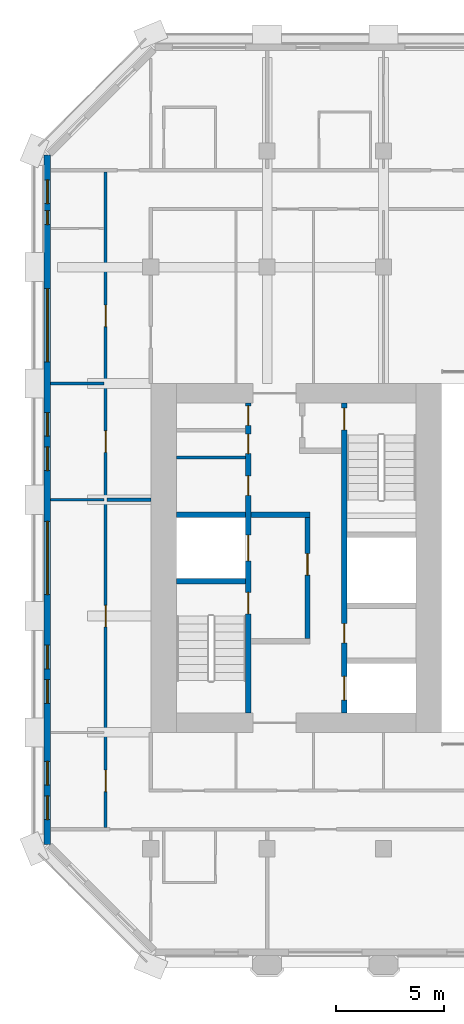
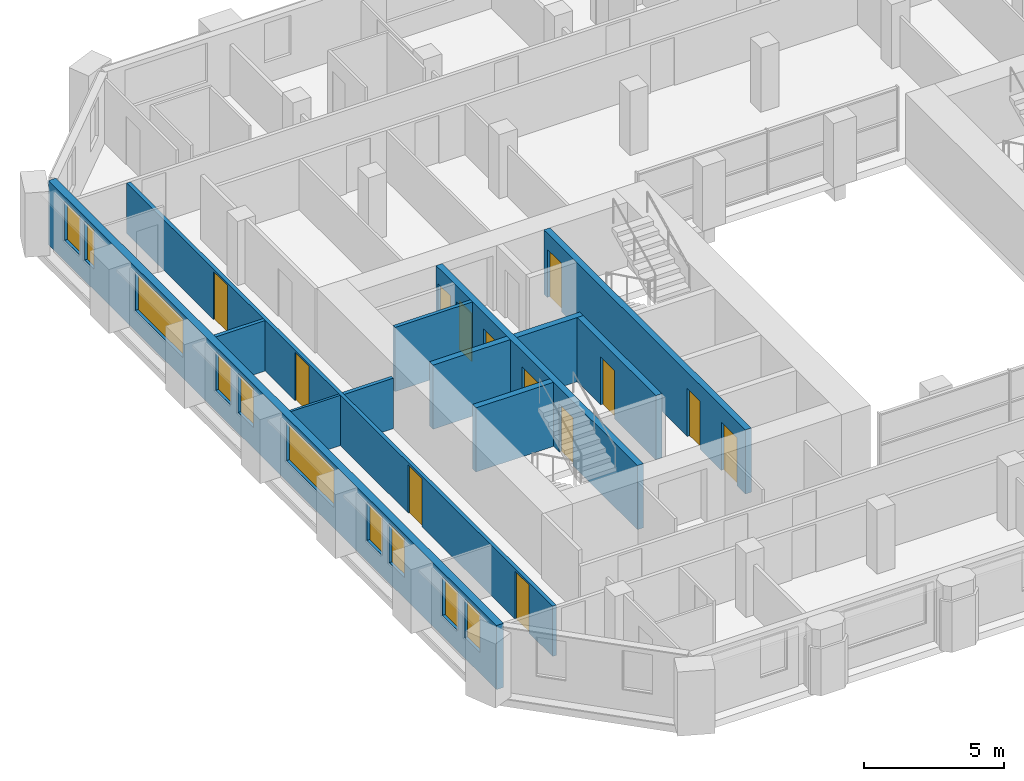
# One storey, part 7 of 14: 13 doors, 12 walls, 10 windows, 23 openings.
"""IFC4 building model written with IfcOpenShell, lengths in metres."""

from ifc_helpers import new_model, si_unit, direction, frame, frame_2d, origin, place, context, subcontext, project, spatial, rectangle, extrude, material, layer, layer_set, type_object, element, fill, save


model = new_model("IFC4")

# Units and contexts
model_context = context("Model", 3, precision=1e-05, world=origin(), true_north=direction((0.0, 1.0)))
body_context = subcontext(model_context, "Body", "Model", "MODEL_VIEW")
ifc_project = project(units=[si_unit("LENGTHUNIT", "METRE"), si_unit("AREAUNIT", "SQUARE_METRE"), si_unit("VOLUMEUNIT", "CUBIC_METRE"), si_unit("PLANEANGLEUNIT", "RADIAN"), si_unit("MASSUNIT", "GRAM", prefix="KILO")], contexts=[model_context])

# Site, building, storey
site_placement = place(None, origin())
site = spatial("IfcSite", under=ifc_project, at=site_placement, CompositionType="ELEMENT")
building_placement = place(site_placement, origin())
building = spatial("IfcBuilding", under=site, at=building_placement, Name="Tabaq Tower and Sports Hall", CompositionType="ELEMENT")
storey_placement = place(building_placement, frame((0.0, 0.0, 230.199951171875)))
storey = spatial("IfcBuildingStorey", under=building, at=storey_placement, Name="L58", CompositionType="ELEMENT", Elevation=230.199951171875)

# Walls
ifc_material_1 = material(Name="Blockwork", Category="masonry")
ifc_layer_1 = layer(ifc_material_1, 0.14990234375)
ifc_layer_set_1 = layer_set([ifc_layer_1], Name="Core room partition 150 Blockwork")
wall_type_1 = type_object("IfcWallType", Name="Core room partition 150 Blockwork", PredefinedType="PARTITIONING", material=ifc_layer_set_1)
wall_1_placement = place(storey_placement, frame((6.60009765625, 28.962890625, 0.0), z_axis=(0.0, 0.0, 1.0), x_axis=(1.0, 0.0, 0.0)))
element("IfcWall", 1, at=wall_1_placement, inside=storey, type_object=wall_type_1, Name="Core room partition W L58", PredefinedType="PARTITIONING", context=body_context, shape_type="SweptSolid", body=[
    extrude(rectangle(XDim=3.199951171875, YDim=0.14990234375, at=frame_2d((1.60009765625, 0.0))), origin(), (0.0, 0.0, 1.0), 2.800048828125),
])
ifc_material_2 = material(Name="Gypsum board on steel studs", Category="steel")
ifc_layer_2 = layer(ifc_material_2, 0.10009765625)
ifc_layer_set_2 = layer_set([ifc_layer_2], Name="Partition 100 Gypsum board")
wall_type_2 = type_object("IfcWallType", Name="Partition 100 Gypsum board", PredefinedType="PARTITIONING", material=ifc_layer_set_2)
wall_2_placement = place(storey_placement, frame((0.7509765625, 27.0, 0.0), z_axis=(0.0, 0.0, 1.0), x_axis=(1.0, 0.0, 0.0)))
element("IfcWall", 2, at=wall_2_placement, inside=storey, type_object=wall_type_2, Name="Partition wall L58", PredefinedType="PARTITIONING", context=body_context, shape_type="SweptSolid", body=[
    extrude(rectangle(XDim=2.47412109375, YDim=0.10009765625, at=frame_2d((1.237060546875, 0.0))), origin(), (0.0, 0.0, 1.0), 2.199951171875),
])
ifc_material_3 = material(Name="Blockwork", Category="masonry")
ifc_layer_3 = layer(ifc_material_3, 0.14990234375)
ifc_layer_set_3 = layer_set([ifc_layer_3], Name="Separating wall 150 Blockwork")
wall_type_3 = type_object("IfcWallType", Name="Separating wall 150 Blockwork", PredefinedType="PARTITIONING", material=ifc_layer_set_3)
wall_3_placement = place(storey_placement, frame((0.7509765625, 32.39990234375, 0.0), z_axis=(0.0, 0.0, 1.0), x_axis=(1.0, 0.0, 0.0)))
element("IfcWall", 3, at=wall_3_placement, inside=storey, type_object=wall_type_3, Name="Separating wall L58", PredefinedType="PARTITIONING", context=body_context, shape_type="SweptSolid", body=[
    extrude(rectangle(XDim=2.47412109375, YDim=0.14990234375, at=frame_2d((1.237060546875, 0.0))), origin(), (0.0, 0.0, 1.0), 2.199951171875),
])
wall_4_placement = place(storey_placement, frame((3.375, 27.0, 0.0), z_axis=(0.0, 0.0, 1.0), x_axis=(1.0, 0.0, 0.0)))
element("IfcWall", 4, at=wall_4_placement, inside=storey, type_object=wall_type_3, Name="Separating wall L58", PredefinedType="PARTITIONING", context=body_context, shape_type="SweptSolid", body=[
    extrude(rectangle(XDim=2.02490234375, YDim=0.14990234375, at=frame_2d((1.012451171875, 0.0))), origin(), (0.0, 0.0, 1.0), 2.199951171875),
])

# Wall, openings, doors
wall_5_placement = place(storey_placement, frame((3.300048828125, 11.77490234375, 0.0), z_axis=(0.0, 0.0, 1.0), x_axis=(0.0, 1.0, 0.0)))
wall_5 = element("IfcWall", 5, at=wall_5_placement, inside=storey, type_object=wall_type_3, Name="Separating wall L58", PredefinedType="PARTITIONING", context=body_context, shape_type="SweptSolid", body=[
    extrude(rectangle(XDim=30.4501953125, YDim=0.14990234375, at=frame_2d((15.22509765625, 0.0))), origin(), (0.0, 0.0, 1.0), 2.199951171875),
])
opening_1_placement = place(wall_5_placement, frame((17.425048828125, 0.0, 0.0)))
opening_1 = element("IfcOpeningElement", 6, at=opening_1_placement, cuts=wall_5, Name="Opening L58-008", PredefinedType="OPENING", context=body_context, shape_type="SweptSolid", body=[
    extrude(rectangle(XDim=1.0, YDim=2.10009765625, at=frame_2d((0.5, 1.050048828125))), frame((0.0, 0.074951171875, 0.0), z_axis=(0.0, -1.0, 0.0), x_axis=(1.0, 0.0, 0.0)), (0.0, 0.0, 1.0), 0.14990234375),
])
opening_2_placement = place(wall_5_placement, frame((1.675048828125, 0.0, 0.0)))
opening_2 = element("IfcOpeningElement", 7, at=opening_2_placement, cuts=wall_5, Name="Opening L58-013", PredefinedType="OPENING", context=body_context, shape_type="SweptSolid", body=[
    extrude(rectangle(XDim=1.0, YDim=2.10009765625, at=frame_2d((0.5, 1.050048828125))), frame((0.0, 0.074951171875, 0.0), z_axis=(0.0, -1.0, 0.0), x_axis=(1.0, 0.0, 0.0)), (0.0, 0.0, 1.0), 0.14990234375),
])
opening_3_placement = place(wall_5_placement, frame((9.324951171875, 0.0, 0.0)))
opening_3 = element("IfcOpeningElement", 8, at=opening_3_placement, cuts=wall_5, Name="Opening L58-019", PredefinedType="OPENING", context=body_context, shape_type="SweptSolid", body=[
    extrude(rectangle(XDim=1.0, YDim=2.10009765625, at=frame_2d((0.5, 1.050048828125))), frame((0.0, 0.074951171875, 0.0), z_axis=(0.0, -1.0, 0.0), x_axis=(1.0, 0.0, 0.0)), (0.0, 0.0, 1.0), 0.14990234375),
])
opening_4_placement = place(wall_5_placement, frame((23.258056640625, 0.0, 0.0)))
opening_4 = element("IfcOpeningElement", 9, at=opening_4_placement, cuts=wall_5, Name="Opening L58-024", PredefinedType="OPENING", context=body_context, shape_type="SweptSolid", body=[
    extrude(rectangle(XDim=1.0, YDim=2.10009765625, at=frame_2d((0.5, 1.050048828125))), frame((0.0, 0.074951171875, 0.0), z_axis=(0.0, -1.0, 0.0), x_axis=(1.0, 0.0, 0.0)), (0.0, 0.0, 1.0), 0.14990234375),
])
ifc_material_4 = material(Name="Steel fire door", Category="steel")
door_type_1 = type_object("IfcDoorType", Name="Entrance door 1000 left hand", OperationType="SINGLE_SWING_LEFT", PredefinedType="DOOR", material=ifc_material_4)
door_1_placement = place(opening_4_placement, origin())
door_1 = element("IfcDoor", 10, at=door_1_placement, inside=storey, type_object=door_type_1, Name="Entrance door L58-024", OperationType="SINGLE_SWING_LEFT", OverallHeight=2.10009765625, OverallWidth=1.0, PredefinedType="DOOR", context=body_context, shape_type="SweptSolid", body=[
    extrude(rectangle(XDim=1.0, YDim=2.10009765625, at=frame_2d((0.5, 1.050048828125))), frame((0.0, 0.02490234375, 0.0), z_axis=(0.0, -1.0, 0.0), x_axis=(1.0, 0.0, 0.0)), (0.0, 0.0, 1.0), 0.050048828125),
])
fill(opening_4, door_1)
ifc_material_5 = material(Name="Timber leaf in steel frame", Category="steel")
door_type_2 = type_object("IfcDoorType", Name="Internal door 1000 left hand", OperationType="SINGLE_SWING_LEFT", PredefinedType="DOOR", material=ifc_material_5)
door_2_placement = place(opening_2_placement, origin())
door_2 = element("IfcDoor", 11, at=door_2_placement, inside=storey, type_object=door_type_2, Name="Internal door L58-013", OperationType="SINGLE_SWING_LEFT", OverallHeight=2.10009765625, OverallWidth=1.0, PredefinedType="DOOR", context=body_context, shape_type="SweptSolid", body=[
    extrude(rectangle(XDim=1.0, YDim=2.10009765625, at=frame_2d((0.5, 1.050048828125))), frame((0.0, 0.02490234375, 0.0), z_axis=(0.0, -1.0, 0.0), x_axis=(1.0, 0.0, 0.0)), (0.0, 0.0, 1.0), 0.050048828125),
])
fill(opening_2, door_2)
ifc_material_6 = material(Name="Timber leaf in steel frame", Category="steel")
door_type_3 = type_object("IfcDoorType", Name="Internal door 1000 right hand", OperationType="SINGLE_SWING_RIGHT", PredefinedType="DOOR", material=ifc_material_6)
door_3_placement = place(opening_1_placement, origin())
door_3 = element("IfcDoor", 12, at=door_3_placement, inside=storey, type_object=door_type_3, Name="Internal door L58-008", OperationType="SINGLE_SWING_RIGHT", OverallHeight=2.10009765625, OverallWidth=1.0, PredefinedType="DOOR", context=body_context, shape_type="SweptSolid", body=[
    extrude(rectangle(XDim=1.0, YDim=2.10009765625, at=frame_2d((0.5, 1.050048828125))), frame((0.0, 0.02490234375, 0.0), z_axis=(0.0, -1.0, 0.0), x_axis=(1.0, 0.0, 0.0)), (0.0, 0.0, 1.0), 0.050048828125),
])
fill(opening_1, door_3)
door_4_placement = place(opening_3_placement, origin())
door_4 = element("IfcDoor", 13, at=door_4_placement, inside=storey, type_object=door_type_3, Name="Internal door L58-019", OperationType="SINGLE_SWING_RIGHT", OverallHeight=2.10009765625, OverallWidth=1.0, PredefinedType="DOOR", context=body_context, shape_type="SweptSolid", body=[
    extrude(rectangle(XDim=1.0, YDim=2.10009765625, at=frame_2d((0.5, 1.050048828125))), frame((0.0, 0.02490234375, 0.0), z_axis=(0.0, -1.0, 0.0), x_axis=(1.0, 0.0, 0.0)), (0.0, 0.0, 1.0), 0.050048828125),
])
fill(opening_3, door_4)

ifc_material_7 = material(Name="Concrete C40/50", Category="concrete")
ifc_layer_4 = layer(ifc_material_7, 0.25)
ifc_layer_set_4 = layer_set([ifc_layer_4], Name="Shaft and stair wall 250 Concrete C40/50")
wall_type_4 = type_object("IfcWallType", Name="Shaft and stair wall 250 Concrete C40/50", PredefinedType="SOLIDWALL", material=ifc_layer_set_4)
wall_6_placement = place(storey_placement, frame((9.925048828125, 17.10009765625, 0.0), z_axis=(0.0, 0.0, 1.0), x_axis=(0.0, 1.0, 0.0)))
wall_6 = element("IfcWall", 14, at=wall_6_placement, inside=storey, type_object=wall_type_4, Name="Shaft wall W L58", PredefinedType="SOLIDWALL", context=body_context, shape_type="SweptSolid", body=[
    extrude(rectangle(XDim=14.39990234375, YDim=0.25, at=frame_2d((7.199951171875, 0.0))), origin(), (0.0, 0.0, 1.0), 2.800048828125),
])
opening_5_placement = place(wall_6_placement, frame((4.60009765625, 0.0, 0.0)))
opening_5 = element("IfcOpeningElement", 15, at=opening_5_placement, cuts=wall_6, Name="Opening SD-WL58-03", PredefinedType="OPENING", context=body_context, shape_type="SweptSolid", body=[
    extrude(rectangle(XDim=1.0, YDim=2.10009765625, at=frame_2d((0.5, 1.050048828125))), frame((0.0, 0.125, 0.0), z_axis=(0.0, -1.0, 0.0), x_axis=(1.0, 0.0, 0.0)), (0.0, 0.0, 1.0), 0.25),
])
opening_6_placement = place(wall_6_placement, frame((7.0625, 0.0, 0.0)))
opening_6 = element("IfcOpeningElement", 16, at=opening_6_placement, cuts=wall_6, Name="Opening LD-FF1-L58", PredefinedType="OPENING", context=body_context, shape_type="SweptSolid", body=[
    extrude(rectangle(XDim=1.199951171875, YDim=2.10009765625, at=frame_2d((0.60009765625, 1.050048828125))), frame((0.0, 0.125, 0.0), z_axis=(0.0, -1.0, 0.0), x_axis=(1.0, 0.0, 0.0)), (0.0, 0.0, 1.0), 0.25),
])
opening_7_placement = place(wall_6_placement, frame((10.1064453125, 0.0, 0.0)))
opening_7 = element("IfcOpeningElement", 17, at=opening_7_placement, cuts=wall_6, Name="Opening RD-WL58-09", PredefinedType="OPENING", context=body_context, shape_type="SweptSolid", body=[
    extrude(rectangle(XDim=0.89990234375, YDim=2.10009765625, at=frame_2d((0.449951171875, 1.050048828125))), frame((0.0, 0.125, 0.0), z_axis=(0.0, -1.0, 0.0), x_axis=(1.0, 0.0, 0.0)), (0.0, 0.0, 1.0), 0.25),
])
opening_8_placement = place(wall_6_placement, frame((12.047607421875, 0.0, 0.0)))
opening_8 = element("IfcOpeningElement", 18, at=opening_8_placement, cuts=wall_6, Name="Opening RD-WL58-10", PredefinedType="OPENING", context=body_context, shape_type="SweptSolid", body=[
    extrude(rectangle(XDim=0.89990234375, YDim=2.10009765625, at=frame_2d((0.449951171875, 1.050048828125))), frame((0.0, 0.125, 0.0), z_axis=(0.0, -1.0, 0.0), x_axis=(1.0, 0.0, 0.0)), (0.0, 0.0, 1.0), 0.25),
])
opening_9_placement = place(wall_6_placement, frame((13.353515625, 0.0, 0.0)))
opening_9 = element("IfcOpeningElement", 19, at=opening_9_placement, cuts=wall_6, Name="Opening RD-WL58-11", PredefinedType="OPENING", context=body_context, shape_type="SweptSolid", body=[
    extrude(rectangle(XDim=0.89990234375, YDim=2.10009765625, at=frame_2d((0.449951171875, 1.050048828125))), frame((0.0, 0.125, 0.0), z_axis=(0.0, -1.0, 0.0), x_axis=(1.0, 0.0, 0.0)), (0.0, 0.0, 1.0), 0.25),
])
ifc_material_8 = material(Name="Steel fire door", Category="steel")
door_type_4 = type_object("IfcDoorType", Name="Core room door 900", OperationType="SINGLE_SWING_LEFT", PredefinedType="DOOR", material=ifc_material_8)
door_5_placement = place(opening_7_placement, origin())
door_5 = element("IfcDoor", 20, at=door_5_placement, inside=storey, type_object=door_type_4, Name="Door Unisex WC W L58", OperationType="SINGLE_SWING_LEFT", OverallHeight=2.10009765625, OverallWidth=0.89990234375, PredefinedType="DOOR", context=body_context, shape_type="SweptSolid", body=[
    extrude(rectangle(XDim=0.89990234375, YDim=2.10009765625, at=frame_2d((0.449951171875, 1.050048828125))), frame((0.0, 0.02490234375, 0.0), z_axis=(0.0, -1.0, 0.0), x_axis=(1.0, 0.0, 0.0)), (0.0, 0.0, 1.0), 0.050048828125),
])
fill(opening_7, door_5)
door_6_placement = place(opening_8_placement, origin())
door_6 = element("IfcDoor", 21, at=door_6_placement, inside=storey, type_object=door_type_4, Name="Door Cleaner's Store W L58", OperationType="SINGLE_SWING_LEFT", OverallHeight=2.10009765625, OverallWidth=0.89990234375, PredefinedType="DOOR", context=body_context, shape_type="SweptSolid", body=[
    extrude(rectangle(XDim=0.89990234375, YDim=2.10009765625, at=frame_2d((0.449951171875, 1.050048828125))), frame((0.0, 0.02490234375, 0.0), z_axis=(0.0, -1.0, 0.0), x_axis=(1.0, 0.0, 0.0)), (0.0, 0.0, 1.0), 0.050048828125),
])
fill(opening_8, door_6)
door_7_placement = place(opening_9_placement, origin())
door_7 = element("IfcDoor", 22, at=door_7_placement, inside=storey, type_object=door_type_4, Name="Door Accessible WC W L58", OperationType="SINGLE_SWING_LEFT", OverallHeight=2.10009765625, OverallWidth=0.89990234375, PredefinedType="DOOR", context=body_context, shape_type="SweptSolid", body=[
    extrude(rectangle(XDim=0.89990234375, YDim=2.10009765625, at=frame_2d((0.449951171875, 1.050048828125))), frame((0.0, 0.02490234375, 0.0), z_axis=(0.0, -1.0, 0.0), x_axis=(1.0, 0.0, 0.0)), (0.0, 0.0, 1.0), 0.050048828125),
])
fill(opening_9, door_7)
ifc_material_9 = material(Name="Stainless steel", Category="steel")
door_type_5 = type_object("IfcDoorType", Name="Lift landing door 1200", OperationType="DOUBLE_DOOR_SLIDING", PredefinedType="DOOR", material=ifc_material_9)
door_8_placement = place(opening_6_placement, origin())
door_8 = element("IfcDoor", 23, at=door_8_placement, inside=storey, type_object=door_type_5, Name="Lift landing door FF1 W L58", OperationType="DOUBLE_DOOR_SLIDING", OverallHeight=2.10009765625, OverallWidth=1.199951171875, PredefinedType="DOOR", context=body_context, shape_type="SweptSolid", body=[
    extrude(rectangle(XDim=1.199951171875, YDim=2.10009765625, at=frame_2d((0.60009765625, 1.050048828125))), frame((0.0, 0.02490234375, 0.0), z_axis=(0.0, -1.0, 0.0), x_axis=(1.0, 0.0, 0.0)), (0.0, 0.0, 1.0), 0.050048828125),
])
fill(opening_6, door_8)
ifc_material_10 = material(Name="Steel fire door", Category="steel")
door_type_6 = type_object("IfcDoorType", Name="Stair door 1000", OperationType="SINGLE_SWING_LEFT", PredefinedType="DOOR", material=ifc_material_10)
door_9_placement = place(opening_5_placement, origin())
door_9 = element("IfcDoor", 24, at=door_9_placement, inside=storey, type_object=door_type_6, Name="Stair door ST1 W L58", OperationType="SINGLE_SWING_LEFT", OverallHeight=2.10009765625, OverallWidth=1.0, PredefinedType="DOOR", context=body_context, shape_type="SweptSolid", body=[
    extrude(rectangle(XDim=1.0, YDim=2.10009765625, at=frame_2d((0.5, 1.050048828125))), frame((0.0, 0.02490234375, 0.0), z_axis=(0.0, -1.0, 0.0), x_axis=(1.0, 0.0, 0.0)), (0.0, 0.0, 1.0), 0.050048828125),
])
fill(opening_5, door_9)

wall_7_placement = place(storey_placement, frame((14.375, 17.10009765625, 0.0), z_axis=(0.0, 0.0, 1.0), x_axis=(0.0, 1.0, 0.0)))
wall_7 = element("IfcWall", 25, at=wall_7_placement, inside=storey, type_object=wall_type_4, Name="Shaft wall W L58", PredefinedType="SOLIDWALL", context=body_context, shape_type="SweptSolid", body=[
    extrude(rectangle(XDim=14.39990234375, YDim=0.25, at=frame_2d((7.199951171875, 0.0))), origin(), (0.0, 0.0, 1.0), 2.800048828125),
])
opening_10_placement = place(wall_7_placement, frame((13.14990234375, 0.0, 0.0)))
opening_10 = element("IfcOpeningElement", 26, at=opening_10_placement, cuts=wall_7, Name="Opening SD-WL58-05", PredefinedType="OPENING", context=body_context, shape_type="SweptSolid", body=[
    extrude(rectangle(XDim=1.0, YDim=2.10009765625, at=frame_2d((0.5, 1.050048828125))), frame((0.0, 0.125, 0.0), z_axis=(0.0, -1.0, 0.0), x_axis=(1.0, 0.0, 0.0)), (0.0, 0.0, 1.0), 0.25),
])
opening_11_placement = place(wall_7_placement, frame((0.60009765625, 0.0, 0.0)))
opening_11 = element("IfcOpeningElement", 27, at=opening_11_placement, cuts=wall_7, Name="Opening LD-MR1-L58", PredefinedType="OPENING", context=body_context, shape_type="SweptSolid", body=[
    extrude(rectangle(XDim=1.10009765625, YDim=2.10009765625, at=frame_2d((0.550048828125, 1.050048828125))), frame((0.0, 0.125, 0.0), z_axis=(0.0, -1.0, 0.0), x_axis=(1.0, 0.0, 0.0)), (0.0, 0.0, 1.0), 0.25),
])
opening_12_placement = place(wall_7_placement, frame((3.25, 0.0, 0.0)))
opening_12 = element("IfcOpeningElement", 28, at=opening_12_placement, cuts=wall_7, Name="Opening RD-WL58-12", PredefinedType="OPENING", context=body_context, shape_type="SweptSolid", body=[
    extrude(rectangle(XDim=0.89990234375, YDim=2.10009765625, at=frame_2d((0.449951171875, 1.050048828125))), frame((0.0, 0.125, 0.0), z_axis=(0.0, -1.0, 0.0), x_axis=(1.0, 0.0, 0.0)), (0.0, 0.0, 1.0), 0.25),
])
door_10_placement = place(opening_12_placement, origin())
door_10 = element("IfcDoor", 29, at=door_10_placement, inside=storey, type_object=door_type_4, Name="Door Cleaner's Store W L58", OperationType="SINGLE_SWING_LEFT", OverallHeight=2.10009765625, OverallWidth=0.89990234375, PredefinedType="DOOR", context=body_context, shape_type="SweptSolid", body=[
    extrude(rectangle(XDim=0.89990234375, YDim=2.10009765625, at=frame_2d((0.449951171875, 1.050048828125))), frame((0.0, 0.02490234375, 0.0), z_axis=(0.0, -1.0, 0.0), x_axis=(1.0, 0.0, 0.0)), (0.0, 0.0, 1.0), 0.050048828125),
])
fill(opening_12, door_10)
ifc_material_11 = material(Name="Stainless steel", Category="steel")
door_type_7 = type_object("IfcDoorType", Name="Lift landing door 1100", OperationType="DOUBLE_DOOR_SLIDING", PredefinedType="DOOR", material=ifc_material_11)
door_11_placement = place(opening_11_placement, origin())
door_11 = element("IfcDoor", 30, at=door_11_placement, inside=storey, type_object=door_type_7, Name="Lift landing door MR1 W L58", OperationType="DOUBLE_DOOR_SLIDING", OverallHeight=2.10009765625, OverallWidth=1.10009765625, PredefinedType="DOOR", context=body_context, shape_type="SweptSolid", body=[
    extrude(rectangle(XDim=1.10009765625, YDim=2.10009765625, at=frame_2d((0.550048828125, 1.050048828125))), frame((0.0, 0.02490234375, 0.0), z_axis=(0.0, -1.0, 0.0), x_axis=(1.0, 0.0, 0.0)), (0.0, 0.0, 1.0), 0.050048828125),
])
fill(opening_11, door_11)
door_12_placement = place(opening_10_placement, origin())
door_12 = element("IfcDoor", 31, at=door_12_placement, inside=storey, type_object=door_type_6, Name="Stair door ST2 W L58", OperationType="SINGLE_SWING_LEFT", OverallHeight=2.10009765625, OverallWidth=1.0, PredefinedType="DOOR", context=body_context, shape_type="SweptSolid", body=[
    extrude(rectangle(XDim=1.0, YDim=2.10009765625, at=frame_2d((0.5, 1.050048828125))), frame((0.0, 0.02490234375, 0.0), z_axis=(0.0, -1.0, 0.0), x_axis=(1.0, 0.0, 0.0)), (0.0, 0.0, 1.0), 0.050048828125),
])
fill(opening_10, door_12)

# Walls
for number, where, z_axis, x_axis, name in (
    (32, (6.60009765625, 23.22509765625, 0.0), (0.0, 0.0, 1.0), (1.0, 0.0, 0.0), "Stair enclosure wall W L58"),
    (33, (6.60009765625, 26.300048828125, 0.0), (0.0, 0.0, 1.0), (1.0, 0.0, 0.0), "Shaft wall W L58"),
):
    element("IfcWall", number, at=place(storey_placement, frame(where, z_axis=z_axis, x_axis=x_axis)), inside=storey, type_object=wall_type_4, Name=name, PredefinedType="SOLIDWALL", context=body_context, shape_type="SweptSolid", body=[
        extrude(rectangle(XDim=3.199951171875, YDim=0.25, at=frame_2d((1.60009765625, 0.0))), origin(), (0.0, 0.0, 1.0), 2.800048828125),
    ])
wall_8_placement = place(storey_placement, frame((10.050048828125, 26.300048828125, 0.0), z_axis=(0.0, 0.0, 1.0), x_axis=(1.0, 0.0, 0.0)))
element("IfcWall", 34, at=wall_8_placement, inside=storey, type_object=wall_type_4, Name="Fire-fighting lobby wall W L58", PredefinedType="SOLIDWALL", context=body_context, shape_type="SweptSolid", body=[
    extrude(rectangle(XDim=2.75, YDim=0.25, at=frame_2d((1.375, 0.0))), origin(), (0.0, 0.0, 1.0), 2.800048828125),
])

# Wall, opening, door
wall_9_placement = place(storey_placement, frame((12.675048828125, 20.550048828125, 0.0), z_axis=(0.0, 0.0, 1.0), x_axis=(0.0, 1.0, 0.0)))
wall_9 = element("IfcWall", 35, at=wall_9_placement, inside=storey, type_object=wall_type_4, Name="Fire-fighting lobby wall W L58", PredefinedType="SOLIDWALL", context=body_context, shape_type="SweptSolid", body=[
    extrude(rectangle(XDim=5.625, YDim=0.25, at=frame_2d((2.8125, 0.0))), origin(), (0.0, 0.0, 1.0), 2.800048828125),
])
opening_13_placement = place(wall_9_placement, frame((2.949951171875, 0.0, 0.0)))
opening_13 = element("IfcOpeningElement", 36, at=opening_13_placement, cuts=wall_9, Name="Opening FD-WL58-04", PredefinedType="OPENING", context=body_context, shape_type="SweptSolid", body=[
    extrude(rectangle(XDim=1.0, YDim=2.10009765625, at=frame_2d((0.5, 1.050048828125))), frame((0.0, 0.125, 0.0), z_axis=(0.0, -1.0, 0.0), x_axis=(1.0, 0.0, 0.0)), (0.0, 0.0, 1.0), 0.25),
])
ifc_material_12 = material(Name="Steel fire door", Category="steel")
door_type_8 = type_object("IfcDoorType", Name="Fire-fighting lobby door 1000", OperationType="SINGLE_SWING_LEFT", PredefinedType="DOOR", material=ifc_material_12)
door_13_placement = place(opening_13_placement, origin())
door_13 = element("IfcDoor", 37, at=door_13_placement, inside=storey, type_object=door_type_8, Name="Fire-fighting lobby door W L58", OperationType="SINGLE_SWING_LEFT", OverallHeight=2.10009765625, OverallWidth=1.0, PredefinedType="DOOR", context=body_context, shape_type="SweptSolid", body=[
    extrude(rectangle(XDim=1.0, YDim=2.10009765625, at=frame_2d((0.5, 1.050048828125))), frame((0.0, 0.02490234375, 0.0), z_axis=(0.0, -1.0, 0.0), x_axis=(1.0, 0.0, 0.0)), (0.0, 0.0, 1.0), 0.050048828125),
])
fill(opening_13, door_13)

# Wall, openings, windows
ifc_material_13 = material(Name="White precast concrete C60/75", Category="concrete")
ifc_layer_5 = layer(ifc_material_13, 0.300048828125)
ifc_layer_set_5 = layer_set([ifc_layer_5], Name="White precast concrete C60/75 external wall 300")
wall_type_5 = type_object("IfcWallType", Name="White precast concrete C60/75 external wall 300", PredefinedType="SOLIDWALL", material=ifc_layer_set_5)
wall_10_placement = place(storey_placement, frame((0.60009765625, 43.013671875, 0.0), z_axis=(0.0, 0.0, 1.0), x_axis=(0.0, -1.0, 0.0)))
wall_10 = element("IfcWall", 38, at=wall_10_placement, inside=storey, type_object=wall_type_5, Name="External Wall L58 W", PredefinedType="SOLIDWALL", context=body_context, shape_type="SweptSolid", body=[
    extrude(rectangle(XDim=32.02734375, YDim=0.300048828125, at=frame_2d((16.013671875, 0.0))), origin(), (0.0, 0.0, 1.0), 2.800048828125),
])
opening_14_placement = place(wall_10_placement, frame((1.16357421875, 0.0, 0.89990234375)))
opening_14 = element("IfcOpeningElement", 39, at=opening_14_placement, cuts=wall_10, Name="Opening W1B", PredefinedType="OPENING", context=body_context, shape_type="SweptSolid", body=[
    extrude(rectangle(XDim=1.10009765625, YDim=1.699951171875, at=frame_2d((0.550048828125, 0.85009765625))), frame((0.0, 0.16015625, 0.0), z_axis=(0.0, -1.0, 0.0), x_axis=(1.0, 0.0, 0.0)), (0.0, 0.0, 1.0), 0.320068359375),
])
opening_15_placement = place(wall_10_placement, frame((2.588623046875, 0.0, 0.89990234375)))
opening_15 = element("IfcOpeningElement", 40, at=opening_15_placement, cuts=wall_10, Name="Opening W1C", PredefinedType="OPENING", context=body_context, shape_type="SweptSolid", body=[
    extrude(rectangle(XDim=0.64990234375, YDim=1.699951171875, at=frame_2d((0.324951171875, 0.85009765625))), frame((0.0, 0.16015625, 0.0), z_axis=(0.0, -1.0, 0.0), x_axis=(1.0, 0.0, 0.0)), (0.0, 0.0, 1.0), 0.320068359375),
])
opening_16_placement = place(wall_10_placement, frame((6.213623046875, 0.0, 0.89990234375)))
opening_16 = element("IfcOpeningElement", 41, at=opening_16_placement, cuts=wall_10, Name="Opening W1A", PredefinedType="OPENING", context=body_context, shape_type="SweptSolid", body=[
    extrude(rectangle(XDim=3.39990234375, YDim=1.699951171875, at=frame_2d((1.699951171875, 0.85009765625))), frame((0.0, 0.16015625, 0.0), z_axis=(0.0, -1.0, 0.0), x_axis=(1.0, 0.0, 0.0)), (0.0, 0.0, 1.0), 0.320068359375),
])
opening_17_placement = place(wall_10_placement, frame((11.963623046875, 0.0, 0.89990234375)))
opening_17 = element("IfcOpeningElement", 42, at=opening_17_placement, cuts=wall_10, Name="Opening W1B", PredefinedType="OPENING", context=body_context, shape_type="SweptSolid", body=[
    extrude(rectangle(XDim=1.10009765625, YDim=1.699951171875, at=frame_2d((0.550048828125, 0.85009765625))), frame((0.0, 0.16015625, 0.0), z_axis=(0.0, -1.0, 0.0), x_axis=(1.0, 0.0, 0.0)), (0.0, 0.0, 1.0), 0.320068359375),
])
opening_18_placement = place(wall_10_placement, frame((13.563720703125, 0.0, 0.89990234375)))
opening_18 = element("IfcOpeningElement", 43, at=opening_18_placement, cuts=wall_10, Name="Opening W1B", PredefinedType="OPENING", context=body_context, shape_type="SweptSolid", body=[
    extrude(rectangle(XDim=1.10009765625, YDim=1.699951171875, at=frame_2d((0.550048828125, 0.85009765625))), frame((0.0, 0.16015625, 0.0), z_axis=(0.0, -1.0, 0.0), x_axis=(1.0, 0.0, 0.0)), (0.0, 0.0, 1.0), 0.320068359375),
])
opening_19_placement = place(wall_10_placement, frame((17.013671875, 0.0, 0.89990234375)))
opening_19 = element("IfcOpeningElement", 44, at=opening_19_placement, cuts=wall_10, Name="Opening W1A", PredefinedType="OPENING", context=body_context, shape_type="SweptSolid", body=[
    extrude(rectangle(XDim=3.39990234375, YDim=1.699951171875, at=frame_2d((1.699951171875, 0.85009765625))), frame((0.0, 0.16015625, 0.0), z_axis=(0.0, -1.0, 0.0), x_axis=(1.0, 0.0, 0.0)), (0.0, 0.0, 1.0), 0.320068359375),
])
opening_20_placement = place(wall_10_placement, frame((22.763671875, 0.0, 0.89990234375)))
opening_20 = element("IfcOpeningElement", 45, at=opening_20_placement, cuts=wall_10, Name="Opening W1B", PredefinedType="OPENING", context=body_context, shape_type="SweptSolid", body=[
    extrude(rectangle(XDim=1.10009765625, YDim=1.699951171875, at=frame_2d((0.550048828125, 0.85009765625))), frame((0.0, 0.16015625, 0.0), z_axis=(0.0, -1.0, 0.0), x_axis=(1.0, 0.0, 0.0)), (0.0, 0.0, 1.0), 0.320068359375),
])
opening_21_placement = place(wall_10_placement, frame((24.363525390625, 0.0, 0.89990234375)))
opening_21 = element("IfcOpeningElement", 46, at=opening_21_placement, cuts=wall_10, Name="Opening W1B", PredefinedType="OPENING", context=body_context, shape_type="SweptSolid", body=[
    extrude(rectangle(XDim=1.10009765625, YDim=1.699951171875, at=frame_2d((0.550048828125, 0.85009765625))), frame((0.0, 0.16015625, 0.0), z_axis=(0.0, -1.0, 0.0), x_axis=(1.0, 0.0, 0.0)), (0.0, 0.0, 1.0), 0.320068359375),
])
opening_22_placement = place(wall_10_placement, frame((28.16357421875, 0.0, 0.89990234375)))
opening_22 = element("IfcOpeningElement", 47, at=opening_22_placement, cuts=wall_10, Name="Opening W1B", PredefinedType="OPENING", context=body_context, shape_type="SweptSolid", body=[
    extrude(rectangle(XDim=1.10009765625, YDim=1.699951171875, at=frame_2d((0.550048828125, 0.85009765625))), frame((0.0, 0.16015625, 0.0), z_axis=(0.0, -1.0, 0.0), x_axis=(1.0, 0.0, 0.0)), (0.0, 0.0, 1.0), 0.320068359375),
])
opening_23_placement = place(wall_10_placement, frame((29.763671875, 0.0, 0.89990234375)))
opening_23 = element("IfcOpeningElement", 48, at=opening_23_placement, cuts=wall_10, Name="Opening W1B", PredefinedType="OPENING", context=body_context, shape_type="SweptSolid", body=[
    extrude(rectangle(XDim=1.10009765625, YDim=1.699951171875, at=frame_2d((0.550048828125, 0.85009765625))), frame((0.0, 0.16015625, 0.0), z_axis=(0.0, -1.0, 0.0), x_axis=(1.0, 0.0, 0.0)), (0.0, 0.0, 1.0), 0.320068359375),
])
ifc_material_14 = material(Name="Aluminium framed clear glazing", Category="aluminium")
window_type_1 = type_object("IfcWindowType", Name="Window W1A", PartitioningType="SINGLE_PANEL", PredefinedType="WINDOW", material=ifc_material_14)
window_1_placement = place(opening_16_placement, origin())
window_1 = element("IfcWindow", 49, at=window_1_placement, inside=storey, type_object=window_type_1, Name="Window W1A L58", OverallHeight=1.699951171875, OverallWidth=3.39990234375, PartitioningType="SINGLE_PANEL", PredefinedType="WINDOW", context=body_context, shape_type="SweptSolid", body=[
    extrude(rectangle(XDim=3.39990234375, YDim=1.699951171875, at=frame_2d((1.699951171875, 0.85009765625))), frame((0.0, 0.030029296875, 0.0), z_axis=(0.0, -1.0, 0.0), x_axis=(1.0, 0.0, 0.0)), (0.0, 0.0, 1.0), 0.06005859375),
])
fill(opening_16, window_1)
window_2_placement = place(opening_19_placement, origin())
window_2 = element("IfcWindow", 50, at=window_2_placement, inside=storey, type_object=window_type_1, Name="Window W1A L58", OverallHeight=1.699951171875, OverallWidth=3.39990234375, PartitioningType="SINGLE_PANEL", PredefinedType="WINDOW", context=body_context, shape_type="SweptSolid", body=[
    extrude(rectangle(XDim=3.39990234375, YDim=1.699951171875, at=frame_2d((1.699951171875, 0.85009765625))), frame((0.0, 0.030029296875, 0.0), z_axis=(0.0, -1.0, 0.0), x_axis=(1.0, 0.0, 0.0)), (0.0, 0.0, 1.0), 0.06005859375),
])
fill(opening_19, window_2)
ifc_material_15 = material(Name="Aluminium framed clear glazing", Category="aluminium")
window_type_2 = type_object("IfcWindowType", Name="Window W1B", PartitioningType="SINGLE_PANEL", PredefinedType="WINDOW", material=ifc_material_15)
window_3_placement = place(opening_14_placement, origin())
window_3 = element("IfcWindow", 51, at=window_3_placement, inside=storey, type_object=window_type_2, Name="Window W1B L58", OverallHeight=1.699951171875, OverallWidth=1.10009765625, PartitioningType="SINGLE_PANEL", PredefinedType="WINDOW", context=body_context, shape_type="SweptSolid", body=[
    extrude(rectangle(XDim=1.10009765625, YDim=1.699951171875, at=frame_2d((0.550048828125, 0.85009765625))), frame((0.0, 0.030029296875, 0.0), z_axis=(0.0, -1.0, 0.0), x_axis=(1.0, 0.0, 0.0)), (0.0, 0.0, 1.0), 0.06005859375),
])
fill(opening_14, window_3)
window_4_placement = place(opening_17_placement, origin())
window_4 = element("IfcWindow", 52, at=window_4_placement, inside=storey, type_object=window_type_2, Name="Window W1B L58", OverallHeight=1.699951171875, OverallWidth=1.10009765625, PartitioningType="SINGLE_PANEL", PredefinedType="WINDOW", context=body_context, shape_type="SweptSolid", body=[
    extrude(rectangle(XDim=1.10009765625, YDim=1.699951171875, at=frame_2d((0.550048828125, 0.85009765625))), frame((0.0, 0.030029296875, 0.0), z_axis=(0.0, -1.0, 0.0), x_axis=(1.0, 0.0, 0.0)), (0.0, 0.0, 1.0), 0.06005859375),
])
fill(opening_17, window_4)
window_5_placement = place(opening_18_placement, origin())
window_5 = element("IfcWindow", 53, at=window_5_placement, inside=storey, type_object=window_type_2, Name="Window W1B L58", OverallHeight=1.699951171875, OverallWidth=1.10009765625, PartitioningType="SINGLE_PANEL", PredefinedType="WINDOW", context=body_context, shape_type="SweptSolid", body=[
    extrude(rectangle(XDim=1.10009765625, YDim=1.699951171875, at=frame_2d((0.550048828125, 0.85009765625))), frame((0.0, 0.030029296875, 0.0), z_axis=(0.0, -1.0, 0.0), x_axis=(1.0, 0.0, 0.0)), (0.0, 0.0, 1.0), 0.06005859375),
])
fill(opening_18, window_5)
window_6_placement = place(opening_20_placement, origin())
window_6 = element("IfcWindow", 54, at=window_6_placement, inside=storey, type_object=window_type_2, Name="Window W1B L58", OverallHeight=1.699951171875, OverallWidth=1.10009765625, PartitioningType="SINGLE_PANEL", PredefinedType="WINDOW", context=body_context, shape_type="SweptSolid", body=[
    extrude(rectangle(XDim=1.10009765625, YDim=1.699951171875, at=frame_2d((0.550048828125, 0.85009765625))), frame((0.0, 0.030029296875, 0.0), z_axis=(0.0, -1.0, 0.0), x_axis=(1.0, 0.0, 0.0)), (0.0, 0.0, 1.0), 0.06005859375),
])
fill(opening_20, window_6)
window_7_placement = place(opening_21_placement, origin())
window_7 = element("IfcWindow", 55, at=window_7_placement, inside=storey, type_object=window_type_2, Name="Window W1B L58", OverallHeight=1.699951171875, OverallWidth=1.10009765625, PartitioningType="SINGLE_PANEL", PredefinedType="WINDOW", context=body_context, shape_type="SweptSolid", body=[
    extrude(rectangle(XDim=1.10009765625, YDim=1.699951171875, at=frame_2d((0.550048828125, 0.85009765625))), frame((0.0, 0.030029296875, 0.0), z_axis=(0.0, -1.0, 0.0), x_axis=(1.0, 0.0, 0.0)), (0.0, 0.0, 1.0), 0.06005859375),
])
fill(opening_21, window_7)
window_8_placement = place(opening_22_placement, origin())
window_8 = element("IfcWindow", 56, at=window_8_placement, inside=storey, type_object=window_type_2, Name="Window W1B L58", OverallHeight=1.699951171875, OverallWidth=1.10009765625, PartitioningType="SINGLE_PANEL", PredefinedType="WINDOW", context=body_context, shape_type="SweptSolid", body=[
    extrude(rectangle(XDim=1.10009765625, YDim=1.699951171875, at=frame_2d((0.550048828125, 0.85009765625))), frame((0.0, 0.030029296875, 0.0), z_axis=(0.0, -1.0, 0.0), x_axis=(1.0, 0.0, 0.0)), (0.0, 0.0, 1.0), 0.06005859375),
])
fill(opening_22, window_8)
window_9_placement = place(opening_23_placement, origin())
window_9 = element("IfcWindow", 57, at=window_9_placement, inside=storey, type_object=window_type_2, Name="Window W1B L58", OverallHeight=1.699951171875, OverallWidth=1.10009765625, PartitioningType="SINGLE_PANEL", PredefinedType="WINDOW", context=body_context, shape_type="SweptSolid", body=[
    extrude(rectangle(XDim=1.10009765625, YDim=1.699951171875, at=frame_2d((0.550048828125, 0.85009765625))), frame((0.0, 0.030029296875, 0.0), z_axis=(0.0, -1.0, 0.0), x_axis=(1.0, 0.0, 0.0)), (0.0, 0.0, 1.0), 0.06005859375),
])
fill(opening_23, window_9)
ifc_material_16 = material(Name="Aluminium framed clear glazing", Category="aluminium")
window_type_3 = type_object("IfcWindowType", Name="Window W1C", PartitioningType="SINGLE_PANEL", PredefinedType="WINDOW", material=ifc_material_16)
window_10_placement = place(opening_15_placement, origin())
window_10 = element("IfcWindow", 58, at=window_10_placement, inside=storey, type_object=window_type_3, Name="Window W1C L58", OverallHeight=1.699951171875, OverallWidth=0.64990234375, PartitioningType="SINGLE_PANEL", PredefinedType="WINDOW", context=body_context, shape_type="SweptSolid", body=[
    extrude(rectangle(XDim=0.64990234375, YDim=1.699951171875, at=frame_2d((0.324951171875, 0.85009765625))), frame((0.0, 0.030029296875, 0.0), z_axis=(0.0, -1.0, 0.0), x_axis=(1.0, 0.0, 0.0)), (0.0, 0.0, 1.0), 0.06005859375),
])
fill(opening_15, window_10)

save(model, "model.ifc")
